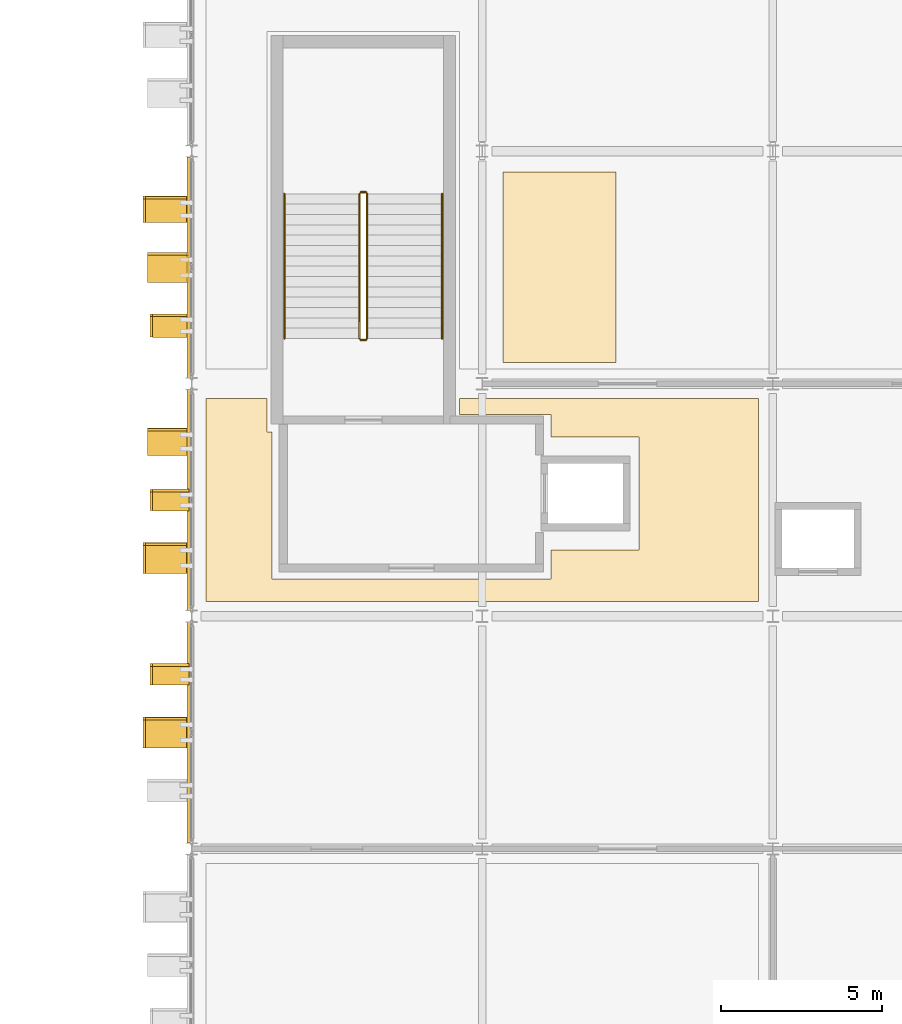
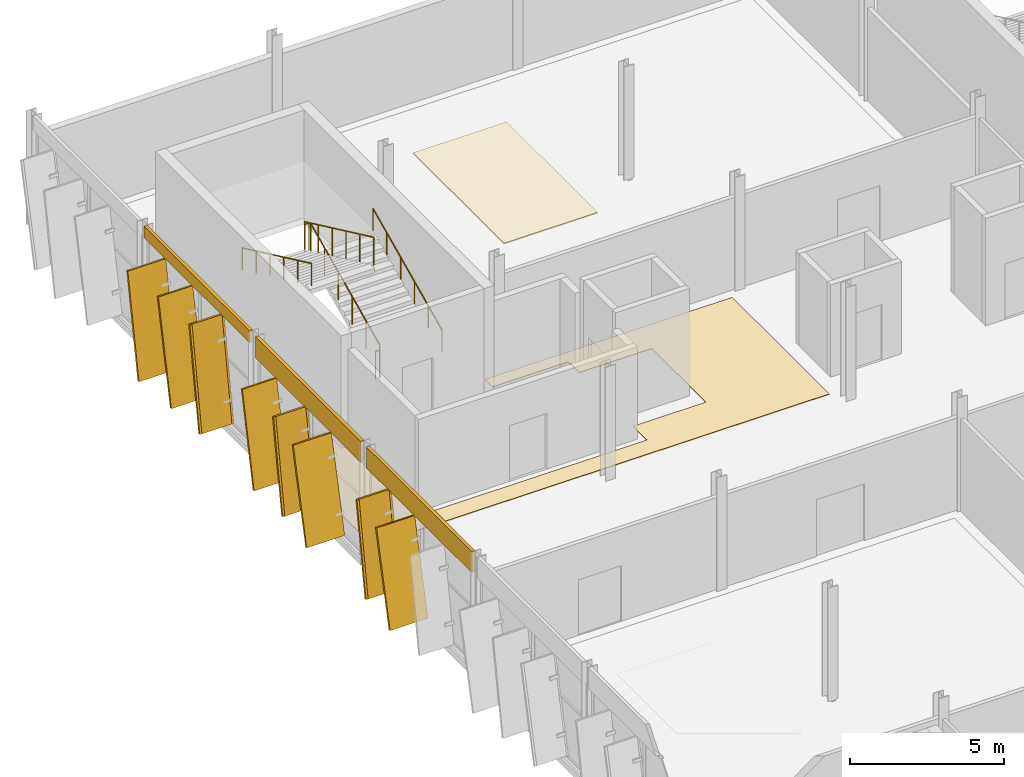
# One storey, part 74 of 78: 13 coverings, 8 shading devices, 6 railings.
"""IFC4 building model written with IfcOpenShell, lengths in metres."""

from ifc_helpers import new_model, si_unit, direction, frame, origin, origin_2d, place, context, subcontext, project, spatial, polyline, rectangle, circle, outline, extrude, material, layer, layer_set, material_profile, profile_set, type_object, element, save


model = new_model("IFC4")

# Units and contexts
model_context = context("Model", 3, precision=1e-05, world=origin(), true_north=direction((0.0, 1.0)))
body_context = subcontext(model_context, "Body", "Model", "MODEL_VIEW")
ifc_project = project(units=[si_unit("LENGTHUNIT", "METRE"), si_unit("AREAUNIT", "SQUARE_METRE"), si_unit("VOLUMEUNIT", "CUBIC_METRE"), si_unit("PLANEANGLEUNIT", "RADIAN"), si_unit("MASSUNIT", "GRAM", prefix="KILO")], contexts=[model_context])

# Site, building, storey
site_placement = place(None, origin())
site = spatial("IfcSite", under=ifc_project, at=site_placement, CompositionType="ELEMENT")
building_placement = place(site_placement, origin())
building = spatial("IfcBuilding", under=site, at=building_placement, Name="Celestram Park Convention Centre", CompositionType="ELEMENT")
storey_placement = place(building_placement, frame((0.0, 0.0, 19.800048828125)))
storey = spatial("IfcBuildingStorey", under=building, at=storey_placement, Name="L04", CompositionType="ELEMENT", Elevation=19.800048828125)

# Coverings
ifc_material_1 = material(Name="Anodised Bronze Aluminium Spandrel Cladding", Category="aluminium")
ifc_layer_1 = layer(ifc_material_1, 0.050048828125)
ifc_layer_set_1 = layer_set([ifc_layer_1], Name="Anodised Bronze Aluminium Spandrel Cladding")
covering_type_1 = type_object("IfcCoveringType", Name="ARC-COV-CLD060", PredefinedType="CLADDING", material=ifc_layer_set_1)
for number, where, z_axis, x_axis, name in (
    (1, (35.919921875, 140.39990234375, 3.66796875), (0.0, 0.0, 1.0), (0.0, 1.0, 0.0), "Bronze spandrel cladding CL-L04-233"),
    (2, (35.919921875, 147.60009765625, 3.66796875), (0.0, 0.0, 1.0), (0.0, 1.0, 0.0), "Bronze spandrel cladding CL-L04-234"),
):
    element("IfcCovering", number, at=place(storey_placement, frame(where, z_axis=z_axis, x_axis=x_axis)), inside=storey, type_object=covering_type_1, Name=name, PredefinedType="CLADDING", context=body_context, shape_type="SweptSolid", body=[
        extrude(rectangle(XDim=6.8310546875, YDim=0.1201171875, at=origin_2d()), origin(), (0.0, 0.0, 1.0), 0.83203125),
    ])
covering_1_placement = place(storey_placement, frame((35.919921875, 154.800048828125, 4.02978515625), z_axis=(0.0, 0.0, 1.0), x_axis=(0.0, 1.0, 0.0)))
element("IfcCovering", 3, at=covering_1_placement, inside=storey, type_object=covering_type_1, Name="Bronze spandrel cladding CL-L04-235", PredefinedType="CLADDING", context=body_context, shape_type="SweptSolid", body=[
    extrude(rectangle(XDim=6.8310546875, YDim=0.1201171875, at=origin_2d()), origin(), (0.0, 0.0, 1.0), 0.469970703125),
])
ifc_material_2 = material(Name="Perforated Acoustic Mineral-Fibre Baffle Ceiling", Category="gypsum")
ifc_layer_2 = layer(ifc_material_2, 0.0400390625)
ifc_layer_set_2 = layer_set([ifc_layer_2], Name="Perforated Acoustic Mineral-Fibre Baffle Ceiling")
covering_type_2 = type_object("IfcCoveringType", Name="ARC-COV-CLG040", PredefinedType="CEILING", material=ifc_layer_set_2)
covering_2_placement = place(storey_placement, frame((0.0, 0.0, 4.219970703125)))
element("IfcCovering", 4, at=covering_2_placement, inside=storey, type_object=covering_type_2, Name="Show Administration Office West acoustic baffle ceiling", PredefinedType="CEILING", context=body_context, shape_type="SweptSolid", body=[
    extrude(outline(polyline([(45.64990234375, 151.85009765625), (49.14990234375, 151.85009765625), (49.14990234375, 157.75), (45.64990234375, 157.75), (45.64990234375, 151.85009765625)])), origin(), (0.0, 0.0, 1.0), 0.0400390625),
])
ifc_material_3 = material(Name="Timber-Toned Anodised Aluminium Alloy 6063-T6", Category="wood")
ifc_material_profile_1 = material_profile(ifc_material_3, rectangle(XDim=1.1201171875, YDim=0.090087890625, at=origin_2d()), Name="REED1120X90")
ifc_profile_set_1 = profile_set([ifc_material_profile_1], Name="Timber-Toned Anodised Aluminium Alloy 6063-T6")
covering_type_3 = type_object("IfcCoveringType", Name="ARC-COV-FIN1120", PredefinedType="CLADDING", material=ifc_profile_set_1)
for number, where, z_axis, x_axis, name in (
    (5, (35.360107421875, 141.9091796875, 0.0283203125), (0.0, 0.159848483968, 0.987141561364), (-1.0, 0.0, 0.0), "Leaning timber-toned reed fin RFN-L04-0743"),
    (6, (35.360107421875, 147.30908203125, 0.0283203125), (0.0, 0.159913875069, 0.987130970318), (-1.0, 0.0, 0.0), "Leaning timber-toned reed fin RFN-L04-0745"),
):
    element("IfcCovering", number, at=place(storey_placement, frame(where, z_axis=z_axis, x_axis=x_axis)), inside=storey, type_object=covering_type_3, Name=name, PredefinedType="CLADDING", context=body_context, shape_type="SweptSolid", body=[
        extrude(rectangle(XDim=1.1201171875, YDim=0.090087890625, at=origin_2d()), origin(), (0.0, 0.0, 1.0), 3.63818359375),
    ])
covering_3_placement = place(storey_placement, frame((35.360107421875, 152.68017578125, 0.03076171875), z_axis=(0.0, 0.159913636523, 0.987131008962), x_axis=(-1.0, 0.0, 0.0)))
element("IfcCovering", 7, at=covering_3_placement, inside=storey, type_object=covering_type_3, Name="Leaning timber-toned reed fin RFN-L04-0747", PredefinedType="CLADDING", context=body_context, shape_type="SweptSolid", body=[
    extrude(rectangle(XDim=1.1201171875, YDim=0.090087890625, at=origin_2d()), origin(), (0.0, 0.0, 1.0), 4.0),
])
ifc_material_profile_2 = material_profile(ifc_material_3, rectangle(XDim=1.280029296875, YDim=0.090087890625, at=origin_2d()), Name="REED1280X90")
ifc_profile_set_2 = profile_set([ifc_material_profile_2], Name="Timber-Toned Anodised Aluminium Alloy 6063-T6")
covering_type_4 = type_object("IfcCoveringType", Name="ARC-COV-FIN1280", PredefinedType="CLADDING", material=ifc_profile_set_2)
covering_4_placement = place(storey_placement, frame((35.280029296875, 149.018798828125, 0.04541015625), z_axis=(0.0, 0.209584085746, 0.977790627385), x_axis=(-1.0, 0.0, 0.0)))
element("IfcCovering", 8, at=covering_4_placement, inside=storey, type_object=covering_type_4, Name="Leaning timber-toned reed fin RFN-L04-0746", PredefinedType="CLADDING", context=body_context, shape_type="SweptSolid", body=[
    extrude(rectangle(XDim=1.280029296875, YDim=0.090087890625, at=origin_2d()), origin(), (0.0, 0.0, 1.0), 3.637939453125),
])
covering_5_placement = place(storey_placement, frame((35.280029296875, 154.380859375, 0.04931640625), z_axis=(0.0, 0.209595780652, 0.977788120573), x_axis=(-1.0, 0.0, 0.0)))
element("IfcCovering", 9, at=covering_5_placement, inside=storey, type_object=covering_type_4, Name="Leaning timber-toned reed fin RFN-L04-0748", PredefinedType="CLADDING", context=body_context, shape_type="SweptSolid", body=[
    extrude(rectangle(XDim=1.280029296875, YDim=0.090087890625, at=origin_2d()), origin(), (0.0, 0.0, 1.0), 4.0),
])
ifc_material_profile_3 = material_profile(ifc_material_3, rectangle(XDim=1.419921875, YDim=0.090087890625, at=origin_2d()), Name="REED1420X90")
ifc_profile_set_3 = profile_set([ifc_material_profile_3], Name="Timber-Toned Anodised Aluminium Alloy 6063-T6")
covering_type_5 = type_object("IfcCoveringType", Name="ARC-COV-FIN1420", PredefinedType="CLADDING", material=ifc_profile_set_3)
for number, where, z_axis, x_axis, name in (
    (10, (35.2099609375, 139.966064453125, 0.057373046875), (0.0, 0.238570259636, 0.971125239718), (-1.0, 0.0, 0.0), "Leaning timber-toned reed fin RFN-L04-0742"),
    (11, (35.2099609375, 145.3662109375, 0.057373046875), (0.0, 0.23850696927, 0.971140785679), (-1.0, 0.0, 0.0), "Leaning timber-toned reed fin RFN-L04-0744"),
):
    element("IfcCovering", number, at=place(storey_placement, frame(where, z_axis=z_axis, x_axis=x_axis)), inside=storey, type_object=covering_type_5, Name=name, PredefinedType="CLADDING", context=body_context, shape_type="SweptSolid", body=[
        extrude(rectangle(XDim=1.419921875, YDim=0.090087890625, at=origin_2d()), origin(), (0.0, 0.0, 1.0), 3.637939453125),
    ])
covering_6_placement = place(storey_placement, frame((35.2099609375, 156.239013671875, 0.037841796875), z_axis=(0.0, 0.180480413107, 0.983578578704), x_axis=(-1.0, 0.0, 0.0)))
element("IfcCovering", 12, at=covering_6_placement, inside=storey, type_object=covering_type_5, Name="Leaning timber-toned reed fin RFN-L04-0749", PredefinedType="CLADDING", context=body_context, shape_type="SweptSolid", body=[
    extrude(rectangle(XDim=1.419921875, YDim=0.090087890625, at=origin_2d()), origin(), (0.0, 0.0, 1.0), 4.0),
])
ifc_material_4 = material(Name="Polished Lakefront Aggregate Terrazzo Flooring", Category="concrete")
ifc_layer_3 = layer(ifc_material_4, 0.02001953125)
ifc_layer_set_3 = layer_set([ifc_layer_3], Name="Polished Lakefront Aggregate Terrazzo Flooring")
covering_type_6 = type_object("IfcCoveringType", Name="ARC-COV-FLR020", PredefinedType="FLOORING", material=ifc_layer_set_3)
covering_7_placement = place(storey_placement, origin())
element("IfcCovering", 13, at=covering_7_placement, inside=storey, type_object=covering_type_6, Name="North Elevator Lobby L04 terrazzo flooring", PredefinedType="FLOORING", context=body_context, shape_type="SweptSolid", body=[
    extrude(outline(polyline([(38.340087890625, 150.75), (38.340087890625, 149.699951171875), (38.489990234375, 149.699951171875), (38.489990234375, 145.14990234375), (47.1298828125, 145.14990234375), (47.1298828125, 146.050048828125), (49.85009765625, 146.050048828125), (49.85009765625, 149.550048828125), (47.1298828125, 149.550048828125), (47.1298828125, 150.25), (44.300048828125, 150.25), (44.300048828125, 150.75), (53.550048828125, 150.75), (53.550048828125, 144.449951171875), (36.449951171875, 144.449951171875), (36.449951171875, 150.75), (38.340087890625, 150.75)])), origin(), (0.0, 0.0, 1.0), 0.02001953125),
])

# Shading devices
ifc_material_5 = material(Name="Anodised Bronze Aluminium Alloy 6063-T6", Category="aluminium")
ifc_material_profile_4 = material_profile(ifc_material_5, rectangle(XDim=1.280029296875, YDim=0.080078125, at=origin_2d()), Name="FIN1280X80")
ifc_profile_set_4 = profile_set([ifc_material_profile_4], Name="Anodised Bronze Aluminium Alloy 6063-T6")
shading_device_type = type_object("IfcShadingDeviceType", Name="ARC-FIN-BZ1280", PredefinedType="USERDEFINED", material=ifc_profile_set_4)
shading_device_1_placement = place(storey_placement, frame((35.2099609375, 139.966064453125, 0.057373046875), z_axis=(0.0, 0.238570259636, 0.971125239718), x_axis=(-1.0, 0.0, 0.0)))
element("IfcShadingDevice", 14, at=shading_device_1_placement, inside=storey, type_object=shading_device_type, Name="Expressive solar fin FN-L04-0742", ObjectType="SOLAR_FIN", PredefinedType="USERDEFINED", context=body_context, shape_type="SweptSolid", body=[
    extrude(rectangle(XDim=1.280029296875, YDim=0.080078125, at=origin_2d()), origin(), (0.0, 0.0, 1.0), 3.637939453125),
])
shading_device_2_placement = place(storey_placement, frame((35.360107421875, 141.9091796875, 0.0283203125), z_axis=(0.0, 0.159848483968, 0.987141561364), x_axis=(-1.0, 0.0, 0.0)))
element("IfcShadingDevice", 15, at=shading_device_2_placement, inside=storey, type_object=shading_device_type, Name="Expressive solar fin FN-L04-0743", ObjectType="SOLAR_FIN", PredefinedType="USERDEFINED", context=body_context, shape_type="SweptSolid", body=[
    extrude(rectangle(XDim=1.280029296875, YDim=0.080078125, at=origin_2d()), origin(), (0.0, 0.0, 1.0), 3.63818359375),
])
shading_device_3_placement = place(storey_placement, frame((35.2099609375, 145.3662109375, 0.057373046875), z_axis=(0.0, 0.23850696927, 0.971140785679), x_axis=(-1.0, 0.0, 0.0)))
element("IfcShadingDevice", 16, at=shading_device_3_placement, inside=storey, type_object=shading_device_type, Name="Expressive solar fin FN-L04-0744", ObjectType="SOLAR_FIN", PredefinedType="USERDEFINED", context=body_context, shape_type="SweptSolid", body=[
    extrude(rectangle(XDim=1.280029296875, YDim=0.080078125, at=origin_2d()), origin(), (0.0, 0.0, 1.0), 3.637939453125),
])
shading_device_4_placement = place(storey_placement, frame((35.360107421875, 147.30908203125, 0.0283203125), z_axis=(0.0, 0.159913875069, 0.987130970318), x_axis=(-1.0, 0.0, 0.0)))
element("IfcShadingDevice", 17, at=shading_device_4_placement, inside=storey, type_object=shading_device_type, Name="Expressive solar fin FN-L04-0745", ObjectType="SOLAR_FIN", PredefinedType="USERDEFINED", context=body_context, shape_type="SweptSolid", body=[
    extrude(rectangle(XDim=1.280029296875, YDim=0.080078125, at=origin_2d()), origin(), (0.0, 0.0, 1.0), 3.63818359375),
])
shading_device_5_placement = place(storey_placement, frame((35.280029296875, 149.018798828125, 0.04541015625), z_axis=(0.0, 0.209584085746, 0.977790627385), x_axis=(-1.0, 0.0, 0.0)))
element("IfcShadingDevice", 18, at=shading_device_5_placement, inside=storey, type_object=shading_device_type, Name="Expressive solar fin FN-L04-0746", ObjectType="SOLAR_FIN", PredefinedType="USERDEFINED", context=body_context, shape_type="SweptSolid", body=[
    extrude(rectangle(XDim=1.280029296875, YDim=0.080078125, at=origin_2d()), origin(), (0.0, 0.0, 1.0), 3.637939453125),
])
for number, where, z_axis, x_axis, name in (
    (19, (35.360107421875, 152.68017578125, 0.03076171875), (0.0, 0.159913636523, 0.987131008962), (-1.0, 0.0, 0.0), "Expressive solar fin FN-L04-0747"),
    (20, (35.280029296875, 154.380859375, 0.04931640625), (0.0, 0.209595780652, 0.977788120573), (-1.0, 0.0, 0.0), "Expressive solar fin FN-L04-0748"),
    (21, (35.2099609375, 156.239013671875, 0.037841796875), (0.0, 0.180480413107, 0.983578578704), (-1.0, 0.0, 0.0), "Expressive solar fin FN-L04-0749"),
):
    element("IfcShadingDevice", number, at=place(storey_placement, frame(where, z_axis=z_axis, x_axis=x_axis)), inside=storey, type_object=shading_device_type, Name=name, ObjectType="SOLAR_FIN", PredefinedType="USERDEFINED", context=body_context, shape_type="SweptSolid", body=[
        extrude(rectangle(XDim=1.280029296875, YDim=0.080078125, at=origin_2d()), origin(), (0.0, 0.0, 1.0), 4.0),
    ])

# Railings
ifc_material_6 = material(Name="Stainless Steel AISI 316L & Laminated Glass", Category="steel")
ifc_layer_4 = layer(ifc_material_6, 0.06005859375)
ifc_layer_set_4 = layer_set([ifc_layer_4], Name="Stainless Steel AISI 316L & Laminated Glass")
railing_type_1 = type_object("IfcRailingType", Name="ARC-RL-GRD1120", PredefinedType="GUARDRAIL", material=ifc_layer_set_4)
railing_1_placement = place(storey_placement, frame((41.43603515625, 152.60009765625, 0.14990234375)))
element("IfcRailing", 22, at=railing_1_placement, inside=storey, type_object=railing_type_1, Name="L04 ST-01 stair guard 1", PredefinedType="GUARDRAIL", context=body_context, shape_type="SweptSolid", body=[
    extrude(circle(Radius=0.02392578125, at=origin_2d()), frame((0.0, 0.0, 1.09619140625), z_axis=(0.0, 0.905450639465, 0.424451574969), x_axis=(-1.0, 0.0, 0.0)), (0.0, 0.0, 1.0), 4.94775390625),
    extrude(circle(Radius=0.02099609375, at=origin_2d()), origin(), (0.0, 0.0, 1.0), 1.072021484375),
    extrude(circle(Radius=0.02099609375, at=origin_2d()), frame((0.0, 0.89599609375, 0.419921875)), (0.0, 0.0, 1.0), 1.072021484375),
    extrude(circle(Radius=0.02099609375, at=origin_2d()), frame((0.0, 1.7919921875, 0.840087890625)), (0.0, 0.0, 1.0), 1.072021484375),
    extrude(circle(Radius=0.02099609375, at=origin_2d()), frame((0.0, 2.68798828125, 1.260009765625)), (0.0, 0.0, 1.0), 1.072021484375),
    extrude(circle(Radius=0.02099609375, at=origin_2d()), frame((0.0, 3.583984375, 1.68017578125)), (0.0, 0.0, 1.0), 1.072021484375),
    extrude(circle(Radius=0.02099609375, at=origin_2d()), frame((0.0, 4.47998046875, 2.10009765625)), (0.0, 0.0, 1.0), 1.072021484375),
])
railing_2_placement = place(storey_placement, frame((41.39990234375, 157.1298828125, 2.25)))
element("IfcRailing", 23, at=railing_2_placement, inside=storey, type_object=railing_type_1, Name="L04 ST-01 stair guard 2", PredefinedType="GUARDRAIL", context=body_context, shape_type="SweptSolid", body=[
    extrude(circle(Radius=0.02392578125, at=origin_2d()), frame((0.0, 0.0, 1.09619140625), z_axis=(-1.0, 0.0, 0.0), x_axis=(0.0, -1.0, 0.0)), (0.0, 0.0, 1.0), 0.159912109375),
    extrude(circle(Radius=0.02099609375, at=origin_2d()), origin(), (0.0, 0.0, 1.0), 1.072021484375),
    extrude(circle(Radius=0.02099609375, at=origin_2d()), frame((-0.159912109375, 0.0, 0.0)), (0.0, 0.0, 1.0), 1.072021484375),
])
railing_3_placement = place(storey_placement, frame((41.2041015625, 157.080078125, 2.39990234375)))
element("IfcRailing", 24, at=railing_3_placement, inside=storey, type_object=railing_type_1, Name="L04 ST-01 stair guard 3", PredefinedType="GUARDRAIL", context=body_context, shape_type="SweptSolid", body=[
    extrude(circle(Radius=0.02392578125, at=origin_2d()), frame((0.0, 0.0, 1.09619140625), z_axis=(0.0, -0.905450639465, 0.424451574969), x_axis=(1.0, 0.0, 0.0)), (0.0, 0.0, 1.0), 4.94775390625),
    extrude(circle(Radius=0.02099609375, at=origin_2d()), origin(), (0.0, 0.0, 1.0), 1.072021484375),
    extrude(circle(Radius=0.02099609375, at=origin_2d()), frame((0.0, -0.89599609375, 0.419921875)), (0.0, 0.0, 1.0), 1.072021484375),
    extrude(circle(Radius=0.02099609375, at=origin_2d()), frame((0.0, -1.7919921875, 0.840087890625)), (0.0, 0.0, 1.0), 1.072021484375),
    extrude(circle(Radius=0.02099609375, at=origin_2d()), frame((0.0, -2.68798828125, 1.260009765625)), (0.0, 0.0, 1.0), 1.072021484375),
    extrude(circle(Radius=0.02099609375, at=origin_2d()), frame((0.0, -3.583984375, 1.68017578125)), (0.0, 0.0, 1.0), 1.072021484375),
    extrude(circle(Radius=0.02099609375, at=origin_2d()), frame((0.0, -4.47998046875, 2.10009765625)), (0.0, 0.0, 1.0), 1.072021484375),
])
railing_4_placement = place(storey_placement, frame((41.39990234375, 152.550048828125, 0.0)))
element("IfcRailing", 25, at=railing_4_placement, inside=storey, type_object=railing_type_1, Name="L04 ST-01 stair guard 4", PredefinedType="GUARDRAIL", context=body_context, shape_type="SweptSolid", body=[
    extrude(circle(Radius=0.02392578125, at=origin_2d()), frame((0.0, 0.0, 1.09619140625), z_axis=(-1.0, 0.0, 0.0), x_axis=(0.0, -1.0, 0.0)), (0.0, 0.0, 1.0), 0.159912109375),
    extrude(circle(Radius=0.02099609375, at=origin_2d()), origin(), (0.0, 0.0, 1.0), 1.072021484375),
    extrude(circle(Radius=0.02099609375, at=origin_2d()), frame((-0.159912109375, 0.0, 0.0)), (0.0, 0.0, 1.0), 1.072021484375),
])
ifc_material_7 = material(Name="Brushed Stainless Steel AISI 304", Category="steel")
ifc_layer_5 = layer(ifc_material_7, 0.048095703125)
ifc_layer_set_5 = layer_set([ifc_layer_5], Name="Brushed Stainless Steel AISI 304")
railing_type_2 = type_object("IfcRailingType", Name="ARC-RL-HND915", PredefinedType="HANDRAIL", material=ifc_layer_set_5)
railing_5_placement = place(storey_placement, frame((43.763916015625, 152.60009765625, 0.14990234375)))
element("IfcRailing", 26, at=railing_5_placement, inside=storey, type_object=railing_type_2, Name="L04 ST-01 stair handrail 1", PredefinedType="HANDRAIL", context=body_context, shape_type="SweptSolid", body=[
    extrude(circle(Radius=0.02392578125, at=origin_2d()), frame((0.0, 0.0, 0.8759765625), z_axis=(0.0, 0.905450639465, 0.424451574969), x_axis=(-1.0, 0.0, 0.0)), (0.0, 0.0, 1.0), 4.94775390625),
    extrude(circle(Radius=0.02099609375, at=origin_2d()), origin(), (0.0, 0.0, 1.0), 0.851806640625),
    extrude(circle(Radius=0.02099609375, at=origin_2d()), frame((0.0, 0.89599609375, 0.419921875)), (0.0, 0.0, 1.0), 0.851806640625),
    extrude(circle(Radius=0.02099609375, at=origin_2d()), frame((0.0, 1.7919921875, 0.840087890625)), (0.0, 0.0, 1.0), 0.851806640625),
    extrude(circle(Radius=0.02099609375, at=origin_2d()), frame((0.0, 2.68798828125, 1.260009765625)), (0.0, 0.0, 1.0), 0.851806640625),
    extrude(circle(Radius=0.02099609375, at=origin_2d()), frame((0.0, 3.583984375, 1.68017578125)), (0.0, 0.0, 1.0), 0.851806640625),
    extrude(circle(Radius=0.02099609375, at=origin_2d()), frame((0.0, 4.47998046875, 2.10009765625)), (0.0, 0.0, 1.0), 0.851806640625),
])
railing_6_placement = place(storey_placement, frame((38.8759765625, 157.080078125, 2.39990234375)))
element("IfcRailing", 27, at=railing_6_placement, inside=storey, type_object=railing_type_2, Name="L04 ST-01 stair handrail 2", PredefinedType="HANDRAIL", context=body_context, shape_type="SweptSolid", body=[
    extrude(circle(Radius=0.02392578125, at=origin_2d()), frame((0.0, 0.0, 0.8759765625), z_axis=(0.0, -0.905450639465, 0.424451574969), x_axis=(1.0, 0.0, 0.0)), (0.0, 0.0, 1.0), 4.94775390625),
    extrude(circle(Radius=0.02099609375, at=origin_2d()), origin(), (0.0, 0.0, 1.0), 0.851806640625),
    extrude(circle(Radius=0.02099609375, at=origin_2d()), frame((0.0, -0.89599609375, 0.419921875)), (0.0, 0.0, 1.0), 0.851806640625),
    extrude(circle(Radius=0.02099609375, at=origin_2d()), frame((0.0, -1.7919921875, 0.840087890625)), (0.0, 0.0, 1.0), 0.851806640625),
    extrude(circle(Radius=0.02099609375, at=origin_2d()), frame((0.0, -2.68798828125, 1.260009765625)), (0.0, 0.0, 1.0), 0.851806640625),
    extrude(circle(Radius=0.02099609375, at=origin_2d()), frame((0.0, -3.583984375, 1.68017578125)), (0.0, 0.0, 1.0), 0.851806640625),
    extrude(circle(Radius=0.02099609375, at=origin_2d()), frame((0.0, -4.47998046875, 2.10009765625)), (0.0, 0.0, 1.0), 0.851806640625),
])

save(model, "model.ifc")
